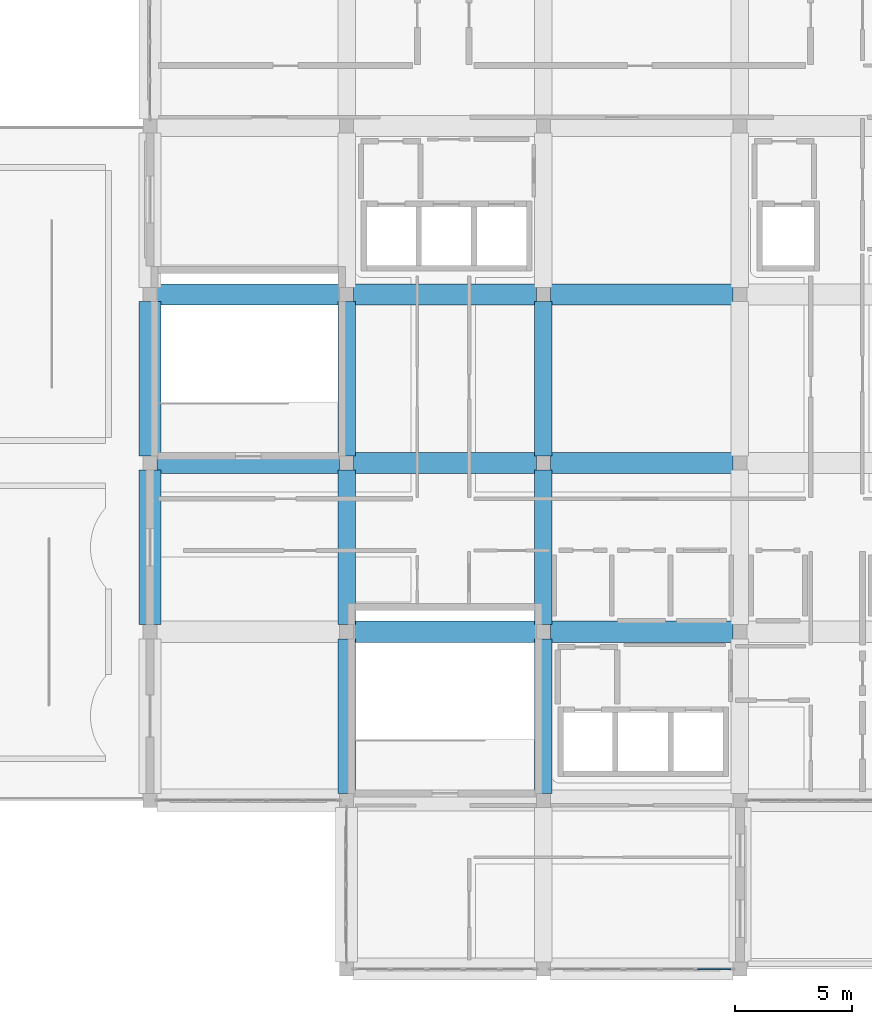
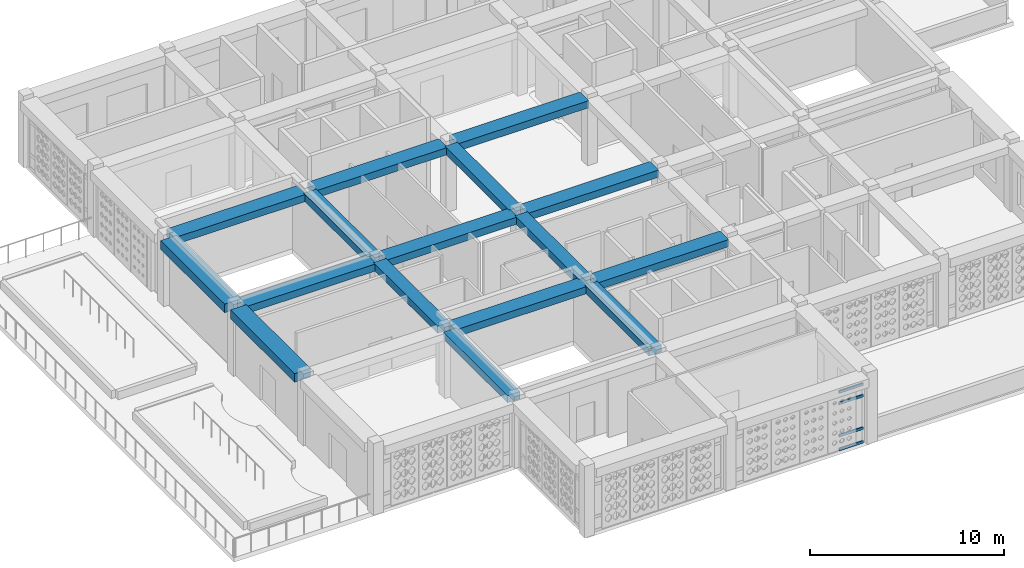
# One storey, part 5 of 28: 16 beams, 4 members, 1 element without a shape of its own.
"""IFC4 building model written with IfcOpenShell, lengths in metres."""

from ifc_helpers import new_model, si_unit, derived_unit, direction, frame, origin, origin_2d, place, context, subcontext, project, spatial, rectangle, hollow_rectangle, extrude, material, material_profile, profile_set, type_object, element, aggregate, save


model = new_model("IFC4")

# Units and contexts
model_context = context("Model", 3, precision=1e-05, world=origin(), true_north=direction((0.0, 1.0)))
body_context = subcontext(model_context, "Body", "Model", "MODEL_VIEW")
ifc_project = project(units=[si_unit("LENGTHUNIT", "METRE"), si_unit("AREAUNIT", "SQUARE_METRE"), si_unit("VOLUMEUNIT", "CUBIC_METRE"), si_unit("PLANEANGLEUNIT", "RADIAN"), si_unit("MASSUNIT", "GRAM", prefix="KILO"), derived_unit("THERMALTRANSMITTANCEUNIT", [(si_unit("POWERUNIT", "WATT"), 1), (si_unit("LENGTHUNIT", "METRE"), -2), (si_unit("THERMODYNAMICTEMPERATUREUNIT", "KELVIN"), -1)])], contexts=[model_context])

# Site, building, storey
site_placement = place(None, origin())
site = spatial("IfcSite", under=ifc_project, at=site_placement, CompositionType="ELEMENT")
building_placement = place(site_placement, origin())
building = spatial("IfcBuilding", under=site, at=building_placement, Name="Veybourne Emporium", CompositionType="ELEMENT")
storey_placement = place(building_placement, frame((0.0, 0.0, 32.10009765625)))
storey = spatial("IfcBuildingStorey", under=building, at=storey_placement, Name="L07", CompositionType="ELEMENT", Elevation=32.10009765625)

# Curtain wall, members
ifc_material_1 = material(Name="Patinated Architectural Bronze", Category="bronze")
curtain_wall_type = type_object("IfcCurtainWallType", Name="CWSystem_CWS-22", PredefinedType="NOTDEFINED", material=ifc_material_1)
curtain_wall_placement = place(storey_placement, origin())
curtain_wall = element("IfcCurtainWall", 1, at=curtain_wall_placement, inside=storey, type_object=curtain_wall_type, Name="L07 bronze glazed curtain wall CWS-22 (011)", PredefinedType="NOTDEFINED")
ifc_material_profile_1 = material_profile(ifc_material_1, hollow_rectangle(XDim=0.074951171875, YDim=0.179931640625, WallThickness=0.0048828125, InnerFilletRadius=0.007568359375, OuterFilletRadius=0.012451171875, at=origin_2d()), Name="CWT 75x180x5")
ifc_profile_set_1 = profile_set([ifc_material_profile_1], Name="Patinated Architectural Bronze")
member_type = type_object("IfcMemberType", Name="CWTransom_CW-T2", PredefinedType="NOTDEFINED", material=ifc_profile_set_1)
member_1_placement = place(storey_placement, frame((33.22509765625, 7.199951171875, 0.037353515625), z_axis=(-1.0, 0.0, 0.0), x_axis=(0.0, -1.0, 0.0)))
member_1 = element("IfcMember", 2, at=member_1_placement, type_object=member_type, Name="CWS-22 transom 1.1", ObjectType="TRANSOM", PredefinedType="USERDEFINED", context=body_context, shape_type="SweptSolid", body=[
    extrude(hollow_rectangle(XDim=0.074951171875, YDim=0.179931640625, WallThickness=0.0048828125, InnerFilletRadius=0.007568359375, OuterFilletRadius=0.012451171875, at=origin_2d()), origin(), (0.0, 0.0, 1.0), 1.447509765625),
])
member_2_placement = place(storey_placement, frame((33.22509765625, 7.199951171875, 0.89990234375), z_axis=(-1.0, 0.0, 0.0), x_axis=(0.0, -1.0, 0.0)))
member_2 = element("IfcMember", 3, at=member_2_placement, type_object=member_type, Name="CWS-22 transom 1.2", ObjectType="TRANSOM", PredefinedType="USERDEFINED", context=body_context, shape_type="SweptSolid", body=[
    extrude(hollow_rectangle(XDim=0.074951171875, YDim=0.179931640625, WallThickness=0.0048828125, InnerFilletRadius=0.007568359375, OuterFilletRadius=0.012451171875, at=origin_2d()), origin(), (0.0, 0.0, 1.0), 1.447509765625),
])
member_3_placement = place(storey_placement, frame((33.22509765625, 7.199951171875, 2.93994140625), z_axis=(-1.0, 0.0, 0.0), x_axis=(0.0, -1.0, 0.0)))
member_3 = element("IfcMember", 4, at=member_3_placement, type_object=member_type, Name="CWS-22 transom 1.3", ObjectType="TRANSOM", PredefinedType="USERDEFINED", context=body_context, shape_type="SweptSolid", body=[
    extrude(hollow_rectangle(XDim=0.074951171875, YDim=0.179931640625, WallThickness=0.0048828125, InnerFilletRadius=0.007568359375, OuterFilletRadius=0.012451171875, at=origin_2d()), origin(), (0.0, 0.0, 1.0), 1.447509765625),
])
member_4_placement = place(storey_placement, frame((33.22509765625, 7.199951171875, 3.65234375), z_axis=(-1.0, 0.0, 0.0), x_axis=(0.0, -1.0, 0.0)))
member_4 = element("IfcMember", 5, at=member_4_placement, type_object=member_type, Name="CWS-22 transom 1.4", ObjectType="TRANSOM", PredefinedType="USERDEFINED", context=body_context, shape_type="SweptSolid", body=[
    extrude(hollow_rectangle(XDim=0.074951171875, YDim=0.179931640625, WallThickness=0.0048828125, InnerFilletRadius=0.007568359375, OuterFilletRadius=0.012451171875, at=origin_2d()), origin(), (0.0, 0.0, 1.0), 1.447509765625),
])
aggregate(curtain_wall, [member_1, member_2, member_3, member_4])

# Beams
ifc_material_2 = material(Name="Concrete C32/40", Category="concrete")
ifc_material_profile_2 = material_profile(ifc_material_2, rectangle(XDim=0.89990234375, YDim=0.449951171875, at=origin_2d()), Name="RC 900x450")
ifc_profile_set_2 = profile_set([ifc_material_profile_2], Name="Concrete C32/40")
beam_type_1 = type_object("IfcBeamType", Name="RCBeam_BB-03", PredefinedType="BEAM", material=ifc_profile_set_2)
for number, where, z_axis, x_axis, name in (
    (6, (8.699951171875, 28.800048828125, 4.014892578125), (1.0, 0.0, 0.0), (0.0, 1.0, 0.0), "L07 X-grid beam BB-03 (1,4)"),
    (7, (8.699951171875, 36.0, 4.014892578125), (1.0, 0.0, 0.0), (0.0, 1.0, 0.0), "L07 X-grid beam BB-03 (1,5)"),
):
    element("IfcBeam", number, at=place(storey_placement, frame(where, z_axis=z_axis, x_axis=x_axis)), inside=storey, type_object=beam_type_1, Name=name, PredefinedType="BEAM", context=body_context, shape_type="SweptSolid", body=[
        extrude(rectangle(XDim=0.89990234375, YDim=0.449951171875, at=origin_2d()), origin(), (0.0, 0.0, 1.0), 7.800048828125),
    ])
for number, where, z_axis, x_axis, name in (
    (8, (17.10009765625, 21.60009765625, 4.014892578125), (1.0, 0.0, 0.0), (0.0, 1.0, 0.0), "L07 X-grid beam BB-03 (2,3)"),
    (9, (17.10009765625, 28.800048828125, 4.014892578125), (1.0, 0.0, 0.0), (0.0, 1.0, 0.0), "L07 X-grid beam BB-03 (2,4)"),
    (10, (17.10009765625, 36.0, 4.014892578125), (1.0, 0.0, 0.0), (0.0, 1.0, 0.0), "L07 X-grid beam BB-03 (2,5)"),
):
    element("IfcBeam", number, at=place(storey_placement, frame(where, z_axis=z_axis, x_axis=x_axis)), inside=storey, type_object=beam_type_1, Name=name, PredefinedType="BEAM", context=body_context, shape_type="SweptSolid", body=[
        extrude(rectangle(XDim=0.89990234375, YDim=0.449951171875, at=origin_2d()), origin(), (0.0, 0.0, 1.0), 7.7998046875),
    ])
for number, where, z_axis, x_axis, name in (
    (11, (25.5, 21.60009765625, 4.014892578125), (1.0, 0.0, 0.0), (0.0, 1.0, 0.0), "L07 X-grid beam BB-03 (3,3)"),
    (12, (25.5, 28.800048828125, 4.014892578125), (1.0, 0.0, 0.0), (0.0, 1.0, 0.0), "L07 X-grid beam BB-03 (3,4)"),
    (13, (25.5, 36.0, 4.014892578125), (1.0, 0.0, 0.0), (0.0, 1.0, 0.0), "L07 X-grid beam BB-03 (3,5)"),
):
    element("IfcBeam", number, at=place(storey_placement, frame(where, z_axis=z_axis, x_axis=x_axis)), inside=storey, type_object=beam_type_1, Name=name, PredefinedType="BEAM", context=body_context, shape_type="SweptSolid", body=[
        extrude(rectangle(XDim=0.89990234375, YDim=0.449951171875, at=origin_2d()), origin(), (0.0, 0.0, 1.0), 7.800048828125),
    ])
ifc_material_profile_3 = material_profile(ifc_material_2, rectangle(XDim=0.75, YDim=0.449951171875, at=origin_2d()), Name="RC 750x450")
ifc_profile_set_3 = profile_set([ifc_material_profile_3], Name="Concrete C32/40")
beam_type_2 = type_object("IfcBeamType", Name="RCBeam_BB-04", PredefinedType="BEAM", material=ifc_profile_set_3)
for number, where, z_axis, x_axis, name in (
    (14, (16.800048828125, 14.699951171875, 4.014892578125), (0.0, 1.0, 0.0), (-1.0, 0.0, 0.0), "L07 Y-grid beam BB-04 (2,2)"),
    (15, (16.800048828125, 21.89990234375, 4.014892578125), (0.0, 1.0, 0.0), (-1.0, 0.0, 0.0), "L07 Y-grid beam BB-04 (2,3)"),
):
    element("IfcBeam", number, at=place(storey_placement, frame(where, z_axis=z_axis, x_axis=x_axis)), inside=storey, type_object=beam_type_2, Name=name, PredefinedType="BEAM", context=body_context, shape_type="SweptSolid", body=[
        extrude(rectangle(XDim=0.75, YDim=0.449951171875, at=origin_2d()), origin(), (0.0, 0.0, 1.0), 6.60009765625),
    ])
beam_1_placement = place(storey_placement, frame((16.800048828125, 29.10009765625, 4.014892578125), z_axis=(0.0, 1.0, 0.0), x_axis=(-1.0, 0.0, 0.0)))
element("IfcBeam", 16, at=beam_1_placement, inside=storey, type_object=beam_type_2, Name="L07 Y-grid beam BB-04 (2,4)", PredefinedType="BEAM", context=body_context, shape_type="SweptSolid", body=[
    extrude(rectangle(XDim=0.75, YDim=0.449951171875, at=origin_2d()), origin(), (0.0, 0.0, 1.0), 6.599853515625),
])
for number, where, z_axis, x_axis, name in (
    (17, (25.199951171875, 14.699951171875, 4.014892578125), (0.0, 1.0, 0.0), (-1.0, 0.0, 0.0), "L07 Y-grid beam BB-04 (3,2)"),
    (18, (25.199951171875, 21.89990234375, 4.014892578125), (0.0, 1.0, 0.0), (-1.0, 0.0, 0.0), "L07 Y-grid beam BB-04 (3,3)"),
):
    element("IfcBeam", number, at=place(storey_placement, frame(where, z_axis=z_axis, x_axis=x_axis)), inside=storey, type_object=beam_type_2, Name=name, PredefinedType="BEAM", context=body_context, shape_type="SweptSolid", body=[
        extrude(rectangle(XDim=0.75, YDim=0.449951171875, at=origin_2d()), origin(), (0.0, 0.0, 1.0), 6.60009765625),
    ])
beam_2_placement = place(storey_placement, frame((25.199951171875, 29.10009765625, 4.014892578125), z_axis=(0.0, 1.0, 0.0), x_axis=(-1.0, 0.0, 0.0)))
element("IfcBeam", 19, at=beam_2_placement, inside=storey, type_object=beam_type_2, Name="L07 Y-grid beam BB-04 (3,4)", PredefinedType="BEAM", context=body_context, shape_type="SweptSolid", body=[
    extrude(rectangle(XDim=0.75, YDim=0.449951171875, at=origin_2d()), origin(), (0.0, 0.0, 1.0), 6.599853515625),
])
ifc_material_profile_4 = material_profile(ifc_material_2, rectangle(XDim=0.949951171875, YDim=0.550048828125, at=origin_2d()), Name="RC 950x550")
ifc_profile_set_4 = profile_set([ifc_material_profile_4], Name="Concrete C32/40")
beam_type_3 = type_object("IfcBeamType", Name="RCBeam_EB-01", PredefinedType="SPANDREL", material=ifc_profile_set_4)
beam_3_placement = place(storey_placement, frame((8.39990234375, 21.89990234375, 3.96484375), z_axis=(0.0, 1.0, 0.0), x_axis=(-1.0, 0.0, 0.0)))
element("IfcBeam", 20, at=beam_3_placement, inside=storey, type_object=beam_type_3, Name="L07 Y-grid beam EB-01 (1,3)", PredefinedType="SPANDREL", context=body_context, shape_type="SweptSolid", body=[
    extrude(rectangle(XDim=0.949951171875, YDim=0.550048828125, at=origin_2d()), origin(), (0.0, 0.0, 1.0), 6.60009765625),
])
beam_4_placement = place(storey_placement, frame((8.39990234375, 29.10009765625, 3.96484375), z_axis=(0.0, 1.0, 0.0), x_axis=(-1.0, 0.0, 0.0)))
element("IfcBeam", 21, at=beam_4_placement, inside=storey, type_object=beam_type_3, Name="L07 Y-grid beam EB-01 (1,4)", PredefinedType="SPANDREL", context=body_context, shape_type="SweptSolid", body=[
    extrude(rectangle(XDim=0.949951171875, YDim=0.550048828125, at=origin_2d()), origin(), (0.0, 0.0, 1.0), 6.599853515625),
])

save(model, "model.ifc")
